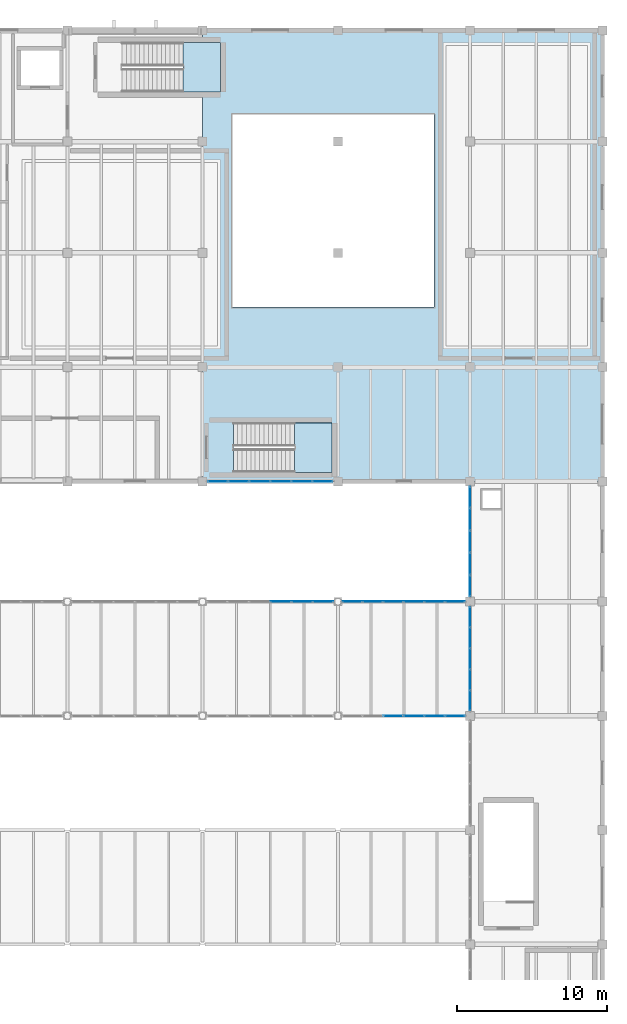
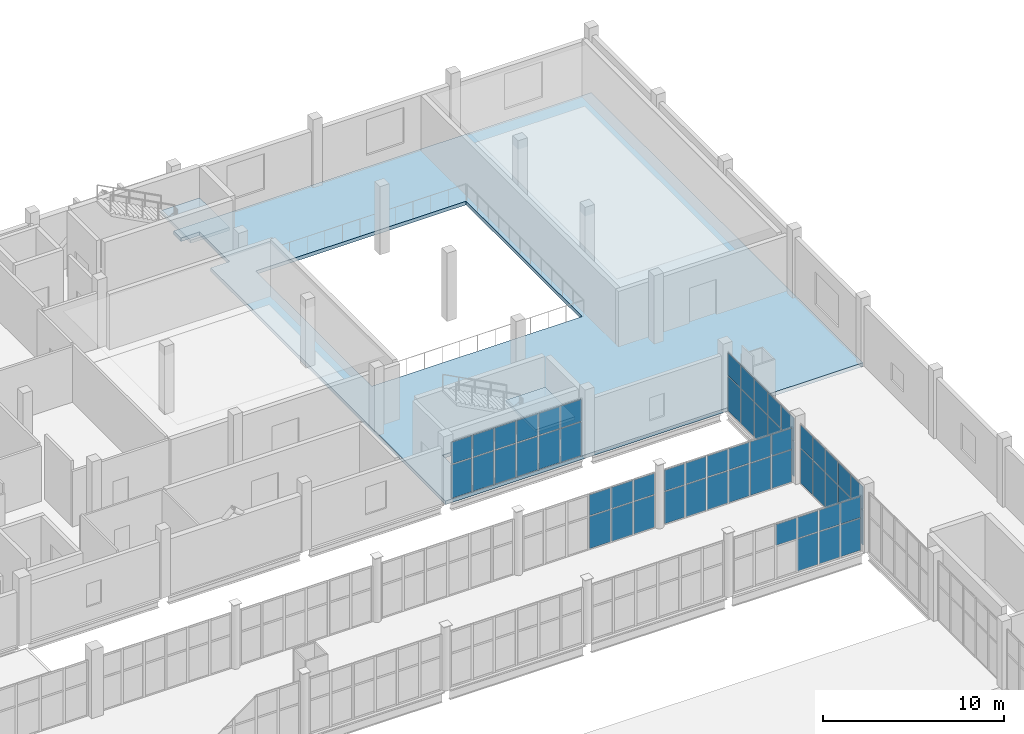
# One storey, part 107 of 136: 57 plates, 3 slabs, 8 elements without a shape of their own.
"""IFC4 building model written with IfcOpenShell, lengths in metres."""

from ifc_helpers import new_model, si_unit, direction, frame, origin, origin_2d, place, context, subcontext, project, spatial, polyline, rectangle, outline, extrude, material, layer, layer_set, type_object, element, aggregate, save


model = new_model("IFC4")

# Units and contexts
model_context = context("Model", 3, precision=1e-05, world=origin(), true_north=direction((0.0, 1.0)))
body_context = subcontext(model_context, "Body", "Model", "MODEL_VIEW")
ifc_project = project(units=[si_unit("LENGTHUNIT", "METRE"), si_unit("AREAUNIT", "SQUARE_METRE"), si_unit("VOLUMEUNIT", "CUBIC_METRE"), si_unit("PLANEANGLEUNIT", "RADIAN"), si_unit("MASSUNIT", "GRAM", prefix="KILO")], contexts=[model_context])

# Site, building, storey
site_placement = place(None, origin())
site = spatial("IfcSite", under=ifc_project, at=site_placement, CompositionType="ELEMENT")
building_placement = place(site_placement, origin())
building = spatial("IfcBuilding", under=site, at=building_placement, Name="Shengluoqiao Park Theatre", CompositionType="ELEMENT")
storey_placement = place(building_placement, frame((0.0, 0.0, 10.0)))
storey = spatial("IfcBuildingStorey", under=building, at=storey_placement, Name="L02", CompositionType="ELEMENT", Elevation=10.0)

# Curtain wall, plates
ifc_material_1 = material(Name="Aluminium 6063-T6", Category="aluminium")
curtain_wall_type_1 = type_object("IfcCurtainWallType", Name="ENV-CW-BRIDGE", PredefinedType="NOTDEFINED", material=ifc_material_1)
curtain_wall_1_placement = place(storey_placement, origin())
curtain_wall_1 = element("IfcCurtainWall", 1, at=curtain_wall_1_placement, inside=storey, type_object=curtain_wall_type_1, Name="L02 Curtain Wall CWX-L02-0114", PredefinedType="NOTDEFINED")
ifc_material_2 = material(Name="Insulated glass", Category="glass")
ifc_layer_1 = layer(ifc_material_2, 0.0380859375, Name="Insulated glass")
ifc_layer_set_1 = layer_set([ifc_layer_1], Name="Insulated glass")
plate_type = type_object("IfcPlateType", Name="ENV-GLZ-GL-38", PredefinedType="CURTAIN_PANEL", material=ifc_layer_set_1)
plate_1_placement = place(storey_placement, frame((152.090576171875, 68.39990234375, 2.26904296875), z_axis=(0.0, 0.0, 1.0), x_axis=(1.0, 0.0, 0.0)))
plate_1 = element("IfcPlate", 2, at=plate_1_placement, type_object=plate_type, Name="CW-03 panel 3.2", PredefinedType="CURTAIN_PANEL", context=body_context, shape_type="SweptSolid", body=[
    extrude(rectangle(XDim=1.31298828125, YDim=0.0380859375, at=origin_2d()), origin(), (0.0, 0.0, 1.0), 1.403076171875),
])
plate_2_placement = place(storey_placement, frame((153.46337890625, 68.39990234375, 0.06005859375), z_axis=(0.0, 0.0, 1.0), x_axis=(1.0, 0.0, 0.0)))
plate_2 = element("IfcPlate", 3, at=plate_2_placement, type_object=plate_type, Name="CW-03 panel 4.1", PredefinedType="CURTAIN_PANEL", context=body_context, shape_type="SweptSolid", body=[
    extrude(rectangle(XDim=1.31298828125, YDim=0.0380859375, at=origin_2d()), origin(), (0.0, 0.0, 1.0), 2.14892578125),
])
plate_3_placement = place(storey_placement, frame((153.46337890625, 68.39990234375, 2.26904296875), z_axis=(0.0, 0.0, 1.0), x_axis=(1.0, 0.0, 0.0)))
plate_3 = element("IfcPlate", 4, at=plate_3_placement, type_object=plate_type, Name="CW-03 panel 4.2", PredefinedType="CURTAIN_PANEL", context=body_context, shape_type="SweptSolid", body=[
    extrude(rectangle(XDim=1.31298828125, YDim=0.0380859375, at=origin_2d()), origin(), (0.0, 0.0, 1.0), 1.403076171875),
])
plate_4_placement = place(storey_placement, frame((154.83642578125, 68.39990234375, 0.06005859375), z_axis=(0.0, 0.0, 1.0), x_axis=(1.0, 0.0, 0.0)))
plate_4 = element("IfcPlate", 5, at=plate_4_placement, type_object=plate_type, Name="CW-03 panel 5.1", PredefinedType="CURTAIN_PANEL", context=body_context, shape_type="SweptSolid", body=[
    extrude(rectangle(XDim=1.31298828125, YDim=0.0380859375, at=origin_2d()), origin(), (0.0, 0.0, 1.0), 2.14892578125),
])
plate_5_placement = place(storey_placement, frame((154.83642578125, 68.39990234375, 2.26904296875), z_axis=(0.0, 0.0, 1.0), x_axis=(1.0, 0.0, 0.0)))
plate_5 = element("IfcPlate", 6, at=plate_5_placement, type_object=plate_type, Name="CW-03 panel 5.2", PredefinedType="CURTAIN_PANEL", context=body_context, shape_type="SweptSolid", body=[
    extrude(rectangle(XDim=1.31298828125, YDim=0.0380859375, at=origin_2d()), origin(), (0.0, 0.0, 1.0), 1.403076171875),
])
plate_6_placement = place(storey_placement, frame((156.194580078125, 68.39990234375, 0.06005859375), z_axis=(0.0, 0.0, 1.0), x_axis=(1.0, 0.0, 0.0)))
plate_6 = element("IfcPlate", 7, at=plate_6_placement, type_object=plate_type, Name="CW-03 panel 6.1", PredefinedType="CURTAIN_PANEL", context=body_context, shape_type="SweptSolid", body=[
    extrude(rectangle(XDim=1.282958984375, YDim=0.0380859375, at=origin_2d()), origin(), (0.0, 0.0, 1.0), 2.14892578125),
])
plate_7_placement = place(storey_placement, frame((156.194580078125, 68.39990234375, 2.26904296875), z_axis=(0.0, 0.0, 1.0), x_axis=(1.0, 0.0, 0.0)))
plate_7 = element("IfcPlate", 8, at=plate_7_placement, type_object=plate_type, Name="CW-03 panel 6.2", PredefinedType="CURTAIN_PANEL", context=body_context, shape_type="SweptSolid", body=[
    extrude(rectangle(XDim=1.282958984375, YDim=0.0380859375, at=origin_2d()), origin(), (0.0, 0.0, 1.0), 1.403076171875),
])
aggregate(curtain_wall_1, [plate_1, plate_2, plate_3, plate_4, plate_5, plate_6, plate_7])

curtain_wall_2_placement = place(storey_placement, origin())
curtain_wall_2 = element("IfcCurtainWall", 9, at=curtain_wall_2_placement, inside=storey, type_object=curtain_wall_type_1, Name="L02 Curtain Wall CWX-L02-0121", PredefinedType="NOTDEFINED")
plate_8_placement = place(storey_placement, frame((144.60693359375, 76.0, 0.06005859375), z_axis=(0.0, 0.0, 1.0), x_axis=(1.0, 0.0, 0.0)))
plate_8 = element("IfcPlate", 10, at=plate_8_placement, type_object=plate_type, Name="CW-03 panel 4.1", PredefinedType="CURTAIN_PANEL", context=body_context, shape_type="SweptSolid", body=[
    extrude(rectangle(XDim=1.35400390625, YDim=0.0380859375, at=origin_2d()), origin(), (0.0, 0.0, 1.0), 2.160888671875),
])
plate_9_placement = place(storey_placement, frame((144.60693359375, 76.0, 2.28125), z_axis=(0.0, 0.0, 1.0), x_axis=(1.0, 0.0, 0.0)))
plate_9 = element("IfcPlate", 11, at=plate_9_placement, type_object=plate_type, Name="CW-03 panel 4.2", PredefinedType="CURTAIN_PANEL", context=body_context, shape_type="SweptSolid", body=[
    extrude(rectangle(XDim=1.35400390625, YDim=0.0380859375, at=origin_2d()), origin(), (0.0, 0.0, 1.0), 1.410888671875),
])
plate_10_placement = place(storey_placement, frame((146.02099609375, 76.0, 0.06005859375), z_axis=(0.0, 0.0, 1.0), x_axis=(1.0, 0.0, 0.0)))
plate_10 = element("IfcPlate", 12, at=plate_10_placement, type_object=plate_type, Name="CW-03 panel 5.1", PredefinedType="CURTAIN_PANEL", context=body_context, shape_type="SweptSolid", body=[
    extrude(rectangle(XDim=1.35400390625, YDim=0.0380859375, at=origin_2d()), origin(), (0.0, 0.0, 1.0), 2.160888671875),
])
plate_11_placement = place(storey_placement, frame((146.02099609375, 76.0, 2.28125), z_axis=(0.0, 0.0, 1.0), x_axis=(1.0, 0.0, 0.0)))
plate_11 = element("IfcPlate", 13, at=plate_11_placement, type_object=plate_type, Name="CW-03 panel 5.2", PredefinedType="CURTAIN_PANEL", context=body_context, shape_type="SweptSolid", body=[
    extrude(rectangle(XDim=1.35400390625, YDim=0.0380859375, at=origin_2d()), origin(), (0.0, 0.0, 1.0), 1.410888671875),
])
plate_12_placement = place(storey_placement, frame((147.419921875, 76.0, 0.06005859375), z_axis=(0.0, 0.0, 1.0), x_axis=(1.0, 0.0, 0.0)))
plate_12 = element("IfcPlate", 14, at=plate_12_placement, type_object=plate_type, Name="CW-03 panel 6.1", PredefinedType="CURTAIN_PANEL", context=body_context, shape_type="SweptSolid", body=[
    extrude(rectangle(XDim=1.323974609375, YDim=0.0380859375, at=origin_2d()), origin(), (0.0, 0.0, 1.0), 2.160888671875),
])
plate_13_placement = place(storey_placement, frame((147.419921875, 76.0, 2.28125), z_axis=(0.0, 0.0, 1.0), x_axis=(1.0, 0.0, 0.0)))
plate_13 = element("IfcPlate", 15, at=plate_13_placement, type_object=plate_type, Name="CW-03 panel 6.2", PredefinedType="CURTAIN_PANEL", context=body_context, shape_type="SweptSolid", body=[
    extrude(rectangle(XDim=1.323974609375, YDim=0.0380859375, at=origin_2d()), origin(), (0.0, 0.0, 1.0), 1.410888671875),
])
aggregate(curtain_wall_2, [plate_8, plate_9, plate_10, plate_11, plate_12, plate_13])

curtain_wall_3_placement = place(storey_placement, origin())
curtain_wall_3 = element("IfcCurtainWall", 16, at=curtain_wall_3_placement, inside=storey, type_object=curtain_wall_type_1, Name="L02 Curtain Wall CWX-L02-0122", PredefinedType="NOTDEFINED")
plate_14_placement = place(storey_placement, frame((149.359619140625, 76.0, 0.06005859375), z_axis=(0.0, 0.0, 1.0), x_axis=(1.0, 0.0, 0.0)))
plate_14 = element("IfcPlate", 17, at=plate_14_placement, type_object=plate_type, Name="CW-03 panel 1.1", PredefinedType="CURTAIN_PANEL", context=body_context, shape_type="SweptSolid", body=[
    extrude(rectangle(XDim=1.282958984375, YDim=0.0380859375, at=origin_2d()), origin(), (0.0, 0.0, 1.0), 2.14892578125),
])
plate_15_placement = place(storey_placement, frame((149.359619140625, 76.0, 2.26904296875), z_axis=(0.0, 0.0, 1.0), x_axis=(1.0, 0.0, 0.0)))
plate_15 = element("IfcPlate", 18, at=plate_15_placement, type_object=plate_type, Name="CW-03 panel 1.2", PredefinedType="CURTAIN_PANEL", context=body_context, shape_type="SweptSolid", body=[
    extrude(rectangle(XDim=1.282958984375, YDim=0.0380859375, at=origin_2d()), origin(), (0.0, 0.0, 1.0), 1.403076171875),
])
plate_16_placement = place(storey_placement, frame((150.717529296875, 76.0, 0.06005859375), z_axis=(0.0, 0.0, 1.0), x_axis=(1.0, 0.0, 0.0)))
plate_16 = element("IfcPlate", 19, at=plate_16_placement, type_object=plate_type, Name="CW-03 panel 2.1", PredefinedType="CURTAIN_PANEL", context=body_context, shape_type="SweptSolid", body=[
    extrude(rectangle(XDim=1.31298828125, YDim=0.0380859375, at=origin_2d()), origin(), (0.0, 0.0, 1.0), 2.14892578125),
])
plate_17_placement = place(storey_placement, frame((150.717529296875, 76.0, 2.26904296875), z_axis=(0.0, 0.0, 1.0), x_axis=(1.0, 0.0, 0.0)))
plate_17 = element("IfcPlate", 20, at=plate_17_placement, type_object=plate_type, Name="CW-03 panel 2.2", PredefinedType="CURTAIN_PANEL", context=body_context, shape_type="SweptSolid", body=[
    extrude(rectangle(XDim=1.31298828125, YDim=0.0380859375, at=origin_2d()), origin(), (0.0, 0.0, 1.0), 1.403076171875),
])
plate_18_placement = place(storey_placement, frame((152.090576171875, 76.0, 0.06005859375), z_axis=(0.0, 0.0, 1.0), x_axis=(1.0, 0.0, 0.0)))
plate_18 = element("IfcPlate", 21, at=plate_18_placement, type_object=plate_type, Name="CW-03 panel 3.1", PredefinedType="CURTAIN_PANEL", context=body_context, shape_type="SweptSolid", body=[
    extrude(rectangle(XDim=1.31298828125, YDim=0.0380859375, at=origin_2d()), origin(), (0.0, 0.0, 1.0), 2.14892578125),
])
plate_19_placement = place(storey_placement, frame((152.090576171875, 76.0, 2.26904296875), z_axis=(0.0, 0.0, 1.0), x_axis=(1.0, 0.0, 0.0)))
plate_19 = element("IfcPlate", 22, at=plate_19_placement, type_object=plate_type, Name="CW-03 panel 3.2", PredefinedType="CURTAIN_PANEL", context=body_context, shape_type="SweptSolid", body=[
    extrude(rectangle(XDim=1.31298828125, YDim=0.0380859375, at=origin_2d()), origin(), (0.0, 0.0, 1.0), 1.403076171875),
])
plate_20_placement = place(storey_placement, frame((153.46337890625, 76.0, 0.06005859375), z_axis=(0.0, 0.0, 1.0), x_axis=(1.0, 0.0, 0.0)))
plate_20 = element("IfcPlate", 23, at=plate_20_placement, type_object=plate_type, Name="CW-03 panel 4.1", PredefinedType="CURTAIN_PANEL", context=body_context, shape_type="SweptSolid", body=[
    extrude(rectangle(XDim=1.31298828125, YDim=0.0380859375, at=origin_2d()), origin(), (0.0, 0.0, 1.0), 2.14892578125),
])
plate_21_placement = place(storey_placement, frame((153.46337890625, 76.0, 2.26904296875), z_axis=(0.0, 0.0, 1.0), x_axis=(1.0, 0.0, 0.0)))
plate_21 = element("IfcPlate", 24, at=plate_21_placement, type_object=plate_type, Name="CW-03 panel 4.2", PredefinedType="CURTAIN_PANEL", context=body_context, shape_type="SweptSolid", body=[
    extrude(rectangle(XDim=1.31298828125, YDim=0.0380859375, at=origin_2d()), origin(), (0.0, 0.0, 1.0), 1.403076171875),
])
plate_22_placement = place(storey_placement, frame((154.83642578125, 76.0, 0.06005859375), z_axis=(0.0, 0.0, 1.0), x_axis=(1.0, 0.0, 0.0)))
plate_22 = element("IfcPlate", 25, at=plate_22_placement, type_object=plate_type, Name="CW-03 panel 5.1", PredefinedType="CURTAIN_PANEL", context=body_context, shape_type="SweptSolid", body=[
    extrude(rectangle(XDim=1.31298828125, YDim=0.0380859375, at=origin_2d()), origin(), (0.0, 0.0, 1.0), 2.14892578125),
])
plate_23_placement = place(storey_placement, frame((154.83642578125, 76.0, 2.26904296875), z_axis=(0.0, 0.0, 1.0), x_axis=(1.0, 0.0, 0.0)))
plate_23 = element("IfcPlate", 26, at=plate_23_placement, type_object=plate_type, Name="CW-03 panel 5.2", PredefinedType="CURTAIN_PANEL", context=body_context, shape_type="SweptSolid", body=[
    extrude(rectangle(XDim=1.31298828125, YDim=0.0380859375, at=origin_2d()), origin(), (0.0, 0.0, 1.0), 1.403076171875),
])
plate_24_placement = place(storey_placement, frame((156.194580078125, 76.0, 0.06005859375), z_axis=(0.0, 0.0, 1.0), x_axis=(1.0, 0.0, 0.0)))
plate_24 = element("IfcPlate", 27, at=plate_24_placement, type_object=plate_type, Name="CW-03 panel 6.1", PredefinedType="CURTAIN_PANEL", context=body_context, shape_type="SweptSolid", body=[
    extrude(rectangle(XDim=1.282958984375, YDim=0.0380859375, at=origin_2d()), origin(), (0.0, 0.0, 1.0), 2.14892578125),
])
plate_25_placement = place(storey_placement, frame((156.194580078125, 76.0, 2.26904296875), z_axis=(0.0, 0.0, 1.0), x_axis=(1.0, 0.0, 0.0)))
plate_25 = element("IfcPlate", 28, at=plate_25_placement, type_object=plate_type, Name="CW-03 panel 6.2", PredefinedType="CURTAIN_PANEL", context=body_context, shape_type="SweptSolid", body=[
    extrude(rectangle(XDim=1.282958984375, YDim=0.0380859375, at=origin_2d()), origin(), (0.0, 0.0, 1.0), 1.403076171875),
])
aggregate(curtain_wall_3, [plate_14, plate_15, plate_16, plate_17, plate_18, plate_19, plate_20, plate_21, plate_22, plate_23, plate_24, plate_25])

curtain_wall_type_2 = type_object("IfcCurtainWallType", Name="ENV-CW-CLERE", PredefinedType="NOTDEFINED", material=ifc_material_1)
curtain_wall_4_placement = place(storey_placement, origin())
curtain_wall_4 = element("IfcCurtainWall", 29, at=curtain_wall_4_placement, inside=storey, type_object=curtain_wall_type_2, Name="L02 Curtain Wall CWX-L02-0189", PredefinedType="NOTDEFINED")
plate_26_placement = place(storey_placement, frame((140.418212890625, 84.0, 0.06005859375), z_axis=(0.0, 0.0, 1.0), x_axis=(1.0, 0.0, 0.0)))
plate_26 = element("IfcPlate", 30, at=plate_26_placement, type_object=plate_type, Name="CW-06 panel 1.1", PredefinedType="CURTAIN_PANEL", context=body_context, shape_type="SweptSolid", body=[
    extrude(rectangle(XDim=1.30859375, YDim=0.0380859375, at=origin_2d()), origin(), (0.0, 0.0, 1.0), 2.2490234375),
])
plate_27_placement = place(storey_placement, frame((140.418212890625, 84.0, 2.369140625), z_axis=(0.0, 0.0, 1.0), x_axis=(1.0, 0.0, 0.0)))
plate_27 = element("IfcPlate", 31, at=plate_27_placement, type_object=plate_type, Name="CW-06 panel 1.2", PredefinedType="CURTAIN_PANEL", context=body_context, shape_type="SweptSolid", body=[
    extrude(rectangle(XDim=1.30859375, YDim=0.0380859375, at=origin_2d()), origin(), (0.0, 0.0, 1.0), 1.468994140625),
])
plate_28_placement = place(storey_placement, frame((141.802001953125, 84.0, 0.06005859375), z_axis=(0.0, 0.0, 1.0), x_axis=(1.0, 0.0, 0.0)))
plate_28 = element("IfcPlate", 32, at=plate_28_placement, type_object=plate_type, Name="CW-06 panel 2.1", PredefinedType="CURTAIN_PANEL", context=body_context, shape_type="SweptSolid", body=[
    extrude(rectangle(XDim=1.338623046875, YDim=0.0380859375, at=origin_2d()), origin(), (0.0, 0.0, 1.0), 2.2490234375),
])
plate_29_placement = place(storey_placement, frame((141.802001953125, 84.0, 2.369140625), z_axis=(0.0, 0.0, 1.0), x_axis=(1.0, 0.0, 0.0)))
plate_29 = element("IfcPlate", 33, at=plate_29_placement, type_object=plate_type, Name="CW-06 panel 2.2", PredefinedType="CURTAIN_PANEL", context=body_context, shape_type="SweptSolid", body=[
    extrude(rectangle(XDim=1.338623046875, YDim=0.0380859375, at=origin_2d()), origin(), (0.0, 0.0, 1.0), 1.468994140625),
])
plate_30_placement = place(storey_placement, frame((143.20068359375, 84.0, 0.06005859375), z_axis=(0.0, 0.0, 1.0), x_axis=(1.0, 0.0, 0.0)))
plate_30 = element("IfcPlate", 34, at=plate_30_placement, type_object=plate_type, Name="CW-06 panel 3.1", PredefinedType="CURTAIN_PANEL", context=body_context, shape_type="SweptSolid", body=[
    extrude(rectangle(XDim=1.338623046875, YDim=0.0380859375, at=origin_2d()), origin(), (0.0, 0.0, 1.0), 2.2490234375),
])
plate_31_placement = place(storey_placement, frame((143.20068359375, 84.0, 2.369140625), z_axis=(0.0, 0.0, 1.0), x_axis=(1.0, 0.0, 0.0)))
plate_31 = element("IfcPlate", 35, at=plate_31_placement, type_object=plate_type, Name="CW-06 panel 3.2", PredefinedType="CURTAIN_PANEL", context=body_context, shape_type="SweptSolid", body=[
    extrude(rectangle(XDim=1.338623046875, YDim=0.0380859375, at=origin_2d()), origin(), (0.0, 0.0, 1.0), 1.468994140625),
])
plate_32_placement = place(storey_placement, frame((144.599365234375, 84.0, 0.06005859375), z_axis=(0.0, 0.0, 1.0), x_axis=(1.0, 0.0, 0.0)))
plate_32 = element("IfcPlate", 36, at=plate_32_placement, type_object=plate_type, Name="CW-06 panel 4.1", PredefinedType="CURTAIN_PANEL", context=body_context, shape_type="SweptSolid", body=[
    extrude(rectangle(XDim=1.338623046875, YDim=0.0380859375, at=origin_2d()), origin(), (0.0, 0.0, 1.0), 2.2490234375),
])
plate_33_placement = place(storey_placement, frame((144.599365234375, 84.0, 2.369140625), z_axis=(0.0, 0.0, 1.0), x_axis=(1.0, 0.0, 0.0)))
plate_33 = element("IfcPlate", 37, at=plate_33_placement, type_object=plate_type, Name="CW-06 panel 4.2", PredefinedType="CURTAIN_PANEL", context=body_context, shape_type="SweptSolid", body=[
    extrude(rectangle(XDim=1.338623046875, YDim=0.0380859375, at=origin_2d()), origin(), (0.0, 0.0, 1.0), 1.468994140625),
])
plate_34_placement = place(storey_placement, frame((145.998046875, 84.0, 0.06005859375), z_axis=(0.0, 0.0, 1.0), x_axis=(1.0, 0.0, 0.0)))
plate_34 = element("IfcPlate", 38, at=plate_34_placement, type_object=plate_type, Name="CW-06 panel 5.1", PredefinedType="CURTAIN_PANEL", context=body_context, shape_type="SweptSolid", body=[
    extrude(rectangle(XDim=1.338623046875, YDim=0.0380859375, at=origin_2d()), origin(), (0.0, 0.0, 1.0), 2.2490234375),
])
plate_35_placement = place(storey_placement, frame((145.998046875, 84.0, 2.369140625), z_axis=(0.0, 0.0, 1.0), x_axis=(1.0, 0.0, 0.0)))
plate_35 = element("IfcPlate", 39, at=plate_35_placement, type_object=plate_type, Name="CW-06 panel 5.2", PredefinedType="CURTAIN_PANEL", context=body_context, shape_type="SweptSolid", body=[
    extrude(rectangle(XDim=1.338623046875, YDim=0.0380859375, at=origin_2d()), origin(), (0.0, 0.0, 1.0), 1.468994140625),
])
plate_36_placement = place(storey_placement, frame((147.381591796875, 84.0, 0.06005859375), z_axis=(0.0, 0.0, 1.0), x_axis=(1.0, 0.0, 0.0)))
plate_36 = element("IfcPlate", 40, at=plate_36_placement, type_object=plate_type, Name="CW-06 panel 6.1", PredefinedType="CURTAIN_PANEL", context=body_context, shape_type="SweptSolid", body=[
    extrude(rectangle(XDim=1.30859375, YDim=0.0380859375, at=origin_2d()), origin(), (0.0, 0.0, 1.0), 2.2490234375),
])
plate_37_placement = place(storey_placement, frame((147.381591796875, 84.0, 2.369140625), z_axis=(0.0, 0.0, 1.0), x_axis=(1.0, 0.0, 0.0)))
plate_37 = element("IfcPlate", 41, at=plate_37_placement, type_object=plate_type, Name="CW-06 panel 6.2", PredefinedType="CURTAIN_PANEL", context=body_context, shape_type="SweptSolid", body=[
    extrude(rectangle(XDim=1.30859375, YDim=0.0380859375, at=origin_2d()), origin(), (0.0, 0.0, 1.0), 1.468994140625),
])
aggregate(curtain_wall_4, [plate_26, plate_27, plate_28, plate_29, plate_30, plate_31, plate_32, plate_33, plate_34, plate_35, plate_36, plate_37])

curtain_wall_type_3 = type_object("IfcCurtainWallType", Name="ENV-CW-COURT", PredefinedType="NOTDEFINED", material=ifc_material_1)
curtain_wall_5_placement = place(storey_placement, origin())
curtain_wall_5 = element("IfcCurtainWall", 42, at=curtain_wall_5_placement, inside=storey, type_object=curtain_wall_type_3, Name="L02 Curtain Wall CWX-L02-0198", PredefinedType="NOTDEFINED")
plate_38_placement = place(storey_placement, frame((157.199951171875, 69.418212890625, 0.06005859375), z_axis=(0.0, 0.0, 1.0), x_axis=(0.0, 1.0, 0.0)))
plate_38 = element("IfcPlate", 43, at=plate_38_placement, type_object=plate_type, Name="CW-05 panel 1.1", PredefinedType="CURTAIN_PANEL", context=body_context, shape_type="SweptSolid", body=[
    extrude(rectangle(XDim=1.308349609375, YDim=0.0380859375, at=origin_2d()), origin(), (0.0, 0.0, 1.0), 2.330078125),
])
plate_39_placement = place(storey_placement, frame((157.199951171875, 69.418212890625, 2.449951171875), z_axis=(0.0, 0.0, 1.0), x_axis=(0.0, 1.0, 0.0)))
plate_39 = element("IfcPlate", 44, at=plate_39_placement, type_object=plate_type, Name="CW-05 panel 1.2", PredefinedType="CURTAIN_PANEL", context=body_context, shape_type="SweptSolid", body=[
    extrude(rectangle(XDim=1.308349609375, YDim=0.0380859375, at=origin_2d()), origin(), (0.0, 0.0, 1.0), 1.52392578125),
])
plate_40_placement = place(storey_placement, frame((157.199951171875, 70.801513671875, 0.06005859375), z_axis=(0.0, 0.0, 1.0), x_axis=(0.0, 1.0, 0.0)))
plate_40 = element("IfcPlate", 45, at=plate_40_placement, type_object=plate_type, Name="CW-05 panel 2.1", PredefinedType="CURTAIN_PANEL", context=body_context, shape_type="SweptSolid", body=[
    extrude(rectangle(XDim=1.33837890625, YDim=0.0380859375, at=origin_2d()), origin(), (0.0, 0.0, 1.0), 2.330078125),
])
plate_41_placement = place(storey_placement, frame((157.199951171875, 70.801513671875, 2.449951171875), z_axis=(0.0, 0.0, 1.0), x_axis=(0.0, 1.0, 0.0)))
plate_41 = element("IfcPlate", 46, at=plate_41_placement, type_object=plate_type, Name="CW-05 panel 2.2", PredefinedType="CURTAIN_PANEL", context=body_context, shape_type="SweptSolid", body=[
    extrude(rectangle(XDim=1.33837890625, YDim=0.0380859375, at=origin_2d()), origin(), (0.0, 0.0, 1.0), 1.52392578125),
])
plate_42_placement = place(storey_placement, frame((157.199951171875, 72.199951171875, 0.06005859375), z_axis=(0.0, 0.0, 1.0), x_axis=(0.0, 1.0, 0.0)))
plate_42 = element("IfcPlate", 47, at=plate_42_placement, type_object=plate_type, Name="CW-05 panel 3.1", PredefinedType="CURTAIN_PANEL", context=body_context, shape_type="SweptSolid", body=[
    extrude(rectangle(XDim=1.33837890625, YDim=0.0380859375, at=origin_2d()), origin(), (0.0, 0.0, 1.0), 2.330078125),
])
plate_43_placement = place(storey_placement, frame((157.199951171875, 72.199951171875, 2.449951171875), z_axis=(0.0, 0.0, 1.0), x_axis=(0.0, 1.0, 0.0)))
plate_43 = element("IfcPlate", 48, at=plate_43_placement, type_object=plate_type, Name="CW-05 panel 3.2", PredefinedType="CURTAIN_PANEL", context=body_context, shape_type="SweptSolid", body=[
    extrude(rectangle(XDim=1.33837890625, YDim=0.0380859375, at=origin_2d()), origin(), (0.0, 0.0, 1.0), 1.52392578125),
])
plate_44_placement = place(storey_placement, frame((157.199951171875, 73.598388671875, 0.06005859375), z_axis=(0.0, 0.0, 1.0), x_axis=(0.0, 1.0, 0.0)))
plate_44 = element("IfcPlate", 49, at=plate_44_placement, type_object=plate_type, Name="CW-05 panel 4.1", PredefinedType="CURTAIN_PANEL", context=body_context, shape_type="SweptSolid", body=[
    extrude(rectangle(XDim=1.33837890625, YDim=0.0380859375, at=origin_2d()), origin(), (0.0, 0.0, 1.0), 2.330078125),
])
plate_45_placement = place(storey_placement, frame((157.199951171875, 73.598388671875, 2.449951171875), z_axis=(0.0, 0.0, 1.0), x_axis=(0.0, 1.0, 0.0)))
plate_45 = element("IfcPlate", 50, at=plate_45_placement, type_object=plate_type, Name="CW-05 panel 4.2", PredefinedType="CURTAIN_PANEL", context=body_context, shape_type="SweptSolid", body=[
    extrude(rectangle(XDim=1.33837890625, YDim=0.0380859375, at=origin_2d()), origin(), (0.0, 0.0, 1.0), 1.52392578125),
])
plate_46_placement = place(storey_placement, frame((157.199951171875, 74.981689453125, 0.06005859375), z_axis=(0.0, 0.0, 1.0), x_axis=(0.0, 1.0, 0.0)))
plate_46 = element("IfcPlate", 51, at=plate_46_placement, type_object=plate_type, Name="CW-05 panel 5.1", PredefinedType="CURTAIN_PANEL", context=body_context, shape_type="SweptSolid", body=[
    extrude(rectangle(XDim=1.308349609375, YDim=0.0380859375, at=origin_2d()), origin(), (0.0, 0.0, 1.0), 2.330078125),
])
plate_47_placement = place(storey_placement, frame((157.199951171875, 74.981689453125, 2.449951171875), z_axis=(0.0, 0.0, 1.0), x_axis=(0.0, 1.0, 0.0)))
plate_47 = element("IfcPlate", 52, at=plate_47_placement, type_object=plate_type, Name="CW-05 panel 5.2", PredefinedType="CURTAIN_PANEL", context=body_context, shape_type="SweptSolid", body=[
    extrude(rectangle(XDim=1.308349609375, YDim=0.0380859375, at=origin_2d()), origin(), (0.0, 0.0, 1.0), 1.52392578125),
])
aggregate(curtain_wall_5, [plate_38, plate_39, plate_40, plate_41, plate_42, plate_43, plate_44, plate_45, plate_46, plate_47])

curtain_wall_6_placement = place(storey_placement, origin())
curtain_wall_6 = element("IfcCurtainWall", 53, at=curtain_wall_6_placement, inside=storey, type_object=curtain_wall_type_3, Name="L02 Curtain Wall CWX-L02-0199", PredefinedType="NOTDEFINED")
plate_48_placement = place(storey_placement, frame((157.199951171875, 77.05810546875, 0.06005859375), z_axis=(0.0, 0.0, 1.0), x_axis=(0.0, 1.0, 0.0)))
plate_48 = element("IfcPlate", 54, at=plate_48_placement, type_object=plate_type, Name="CW-05 panel 1.1", PredefinedType="CURTAIN_PANEL", context=body_context, shape_type="SweptSolid", body=[
    extrude(rectangle(XDim=1.388427734375, YDim=0.0380859375, at=origin_2d()), origin(), (0.0, 0.0, 1.0), 2.330078125),
])
plate_49_placement = place(storey_placement, frame((157.199951171875, 77.05810546875, 2.449951171875), z_axis=(0.0, 0.0, 1.0), x_axis=(0.0, 1.0, 0.0)))
plate_49 = element("IfcPlate", 55, at=plate_49_placement, type_object=plate_type, Name="CW-05 panel 1.2", PredefinedType="CURTAIN_PANEL", context=body_context, shape_type="SweptSolid", body=[
    extrude(rectangle(XDim=1.388427734375, YDim=0.0380859375, at=origin_2d()), origin(), (0.0, 0.0, 1.0), 1.52392578125),
])
plate_50_placement = place(storey_placement, frame((157.199951171875, 78.521484375, 0.06005859375), z_axis=(0.0, 0.0, 1.0), x_axis=(0.0, 1.0, 0.0)))
plate_50 = element("IfcPlate", 56, at=plate_50_placement, type_object=plate_type, Name="CW-05 panel 2.1", PredefinedType="CURTAIN_PANEL", context=body_context, shape_type="SweptSolid", body=[
    extrude(rectangle(XDim=1.41845703125, YDim=0.0380859375, at=origin_2d()), origin(), (0.0, 0.0, 1.0), 2.330078125),
])
plate_51_placement = place(storey_placement, frame((157.199951171875, 78.521484375, 2.449951171875), z_axis=(0.0, 0.0, 1.0), x_axis=(0.0, 1.0, 0.0)))
plate_51 = element("IfcPlate", 57, at=plate_51_placement, type_object=plate_type, Name="CW-05 panel 2.2", PredefinedType="CURTAIN_PANEL", context=body_context, shape_type="SweptSolid", body=[
    extrude(rectangle(XDim=1.41845703125, YDim=0.0380859375, at=origin_2d()), origin(), (0.0, 0.0, 1.0), 1.52392578125),
])
plate_52_placement = place(storey_placement, frame((157.199951171875, 80.0, 0.06005859375), z_axis=(0.0, 0.0, 1.0), x_axis=(0.0, 1.0, 0.0)))
plate_52 = element("IfcPlate", 58, at=plate_52_placement, type_object=plate_type, Name="CW-05 panel 3.1", PredefinedType="CURTAIN_PANEL", context=body_context, shape_type="SweptSolid", body=[
    extrude(rectangle(XDim=1.41845703125, YDim=0.0380859375, at=origin_2d()), origin(), (0.0, 0.0, 1.0), 2.330078125),
])
plate_53_placement = place(storey_placement, frame((157.199951171875, 80.0, 2.449951171875), z_axis=(0.0, 0.0, 1.0), x_axis=(0.0, 1.0, 0.0)))
plate_53 = element("IfcPlate", 59, at=plate_53_placement, type_object=plate_type, Name="CW-05 panel 3.2", PredefinedType="CURTAIN_PANEL", context=body_context, shape_type="SweptSolid", body=[
    extrude(rectangle(XDim=1.41845703125, YDim=0.0380859375, at=origin_2d()), origin(), (0.0, 0.0, 1.0), 1.52392578125),
])
plate_54_placement = place(storey_placement, frame((157.199951171875, 81.478515625, 0.06005859375), z_axis=(0.0, 0.0, 1.0), x_axis=(0.0, 1.0, 0.0)))
plate_54 = element("IfcPlate", 60, at=plate_54_placement, type_object=plate_type, Name="CW-05 panel 4.1", PredefinedType="CURTAIN_PANEL", context=body_context, shape_type="SweptSolid", body=[
    extrude(rectangle(XDim=1.41845703125, YDim=0.0380859375, at=origin_2d()), origin(), (0.0, 0.0, 1.0), 2.330078125),
])
plate_55_placement = place(storey_placement, frame((157.199951171875, 81.478515625, 2.449951171875), z_axis=(0.0, 0.0, 1.0), x_axis=(0.0, 1.0, 0.0)))
plate_55 = element("IfcPlate", 61, at=plate_55_placement, type_object=plate_type, Name="CW-05 panel 4.2", PredefinedType="CURTAIN_PANEL", context=body_context, shape_type="SweptSolid", body=[
    extrude(rectangle(XDim=1.41845703125, YDim=0.0380859375, at=origin_2d()), origin(), (0.0, 0.0, 1.0), 1.52392578125),
])
plate_56_placement = place(storey_placement, frame((157.199951171875, 82.94189453125, 0.06005859375), z_axis=(0.0, 0.0, 1.0), x_axis=(0.0, 1.0, 0.0)))
plate_56 = element("IfcPlate", 62, at=plate_56_placement, type_object=plate_type, Name="CW-05 panel 5.1", PredefinedType="CURTAIN_PANEL", context=body_context, shape_type="SweptSolid", body=[
    extrude(rectangle(XDim=1.388427734375, YDim=0.0380859375, at=origin_2d()), origin(), (0.0, 0.0, 1.0), 2.330078125),
])
plate_57_placement = place(storey_placement, frame((157.199951171875, 82.94189453125, 2.449951171875), z_axis=(0.0, 0.0, 1.0), x_axis=(0.0, 1.0, 0.0)))
plate_57 = element("IfcPlate", 63, at=plate_57_placement, type_object=plate_type, Name="CW-05 panel 5.2", PredefinedType="CURTAIN_PANEL", context=body_context, shape_type="SweptSolid", body=[
    extrude(rectangle(XDim=1.388427734375, YDim=0.0380859375, at=origin_2d()), origin(), (0.0, 0.0, 1.0), 1.52392578125),
])
aggregate(curtain_wall_6, [plate_48, plate_49, plate_50, plate_51, plate_52, plate_53, plate_54, plate_55, plate_56, plate_57])

# Stair, slab
ifc_material_3 = material(Name="Concrete C40", Category="concrete")
stair_type = type_object("IfcStairType", Name="INT-STR-CORE", PredefinedType="HALF_TURN_STAIR", material=ifc_material_3)
stair_1_placement = place(storey_placement, origin())
stair_1 = element("IfcStair", 64, at=stair_1_placement, inside=storey, type_object=stair_type, Name="L02 Backstage and Workshop Escape Stair 06", PredefinedType="HALF_TURN_STAIR")
ifc_layer_2 = layer(ifc_material_3, 0.169921875, Name="Concrete C40")
ifc_layer_set_2 = layer_set([ifc_layer_2], Name="Concrete C40")
slab_type_1 = type_object("IfcSlabType", Name="INT-LND-SL-170", PredefinedType="LANDING", material=ifc_layer_set_2)
slab_1_placement = place(storey_placement, frame((0.0, 0.0, 2.10009765625)))
slab_1 = element("IfcSlab", 65, at=slab_1_placement, type_object=slab_type_1, Name="ST-06 landing 1", PredefinedType="LANDING", context=body_context, shape_type="SweptSolid", body=[
    extrude(outline(polyline([(138.110107421875, 109.89990234375), (140.60009765625, 109.89990234375), (140.60009765625, 113.199951171875), (138.110107421875, 113.199951171875), (138.110107421875, 109.89990234375)])), origin(), (0.0, 0.0, 1.0), 0.199951171875),
])
aggregate(stair_1, [slab_1])

stair_2_placement = place(storey_placement, origin())
stair_2 = element("IfcStair", 66, at=stair_2_placement, inside=storey, type_object=stair_type, Name="L02 Upper Backstage Escape Stair 10", PredefinedType="HALF_TURN_STAIR")
ifc_layer_3 = layer(ifc_material_3, 0.199951171875, Name="Concrete C40")
ifc_layer_set_3 = layer_set([ifc_layer_3], Name="Concrete C40")
slab_type_2 = type_object("IfcSlabType", Name="INT-LND-SL-200", PredefinedType="LANDING", material=ifc_layer_set_3)
slab_2_placement = place(storey_placement, frame((0.0, 0.0, 2.10009765625)))
slab_2 = element("IfcSlab", 67, at=slab_2_placement, type_object=slab_type_2, Name="ST-10 landing 1", PredefinedType="LANDING", context=body_context, shape_type="SweptSolid", body=[
    extrude(outline(polyline([(145.510009765625, 84.60009765625), (148.0, 84.60009765625), (148.0, 87.89990234375), (145.510009765625, 87.89990234375), (145.510009765625, 84.60009765625)])), origin(), (0.0, 0.0, 1.0), 0.199951171875),
])
aggregate(stair_2, [slab_2])

# Slab
ifc_material_4 = material(Name="Concrete C35", Category="concrete")
ifc_layer_4 = layer(ifc_material_4, 0.239990234375, Name="Concrete C35")
ifc_layer_set_4 = layer_set([ifc_layer_4], Name="Concrete C35")
slab_type_3 = type_object("IfcSlabType", Name="STR-SLB-FL240", PredefinedType="FLOOR", material=ifc_layer_set_4)
slab_3_placement = place(storey_placement, frame((0.0, 0.0, -0.239990234375)))
element("IfcSlab", 68, at=slab_3_placement, inside=storey, type_object=slab_type_3, Name="Floor Slab L02-V6-NE2", PredefinedType="FLOOR", context=body_context, shape_type="SweptSolid", body=[
    extrude(outline(polyline([(139.39990234375, 114.0), (166.0, 114.0), (166.0, 84.0), (139.39990234375, 84.0), (139.39990234375, 109.89990234375), (140.60009765625, 109.89990234375), (140.60009765625, 113.199951171875), (139.39990234375, 113.199951171875), (139.39990234375, 114.0)]), holes=[polyline([(141.4541015625, 84.60009765625), (148.0, 84.60009765625), (148.0, 87.89990234375), (141.4541015625, 87.89990234375), (141.4541015625, 84.60009765625)]), polyline([(154.800048828125, 95.60009765625), (154.800048828125, 108.39990234375), (141.39990234375, 108.39990234375), (141.39990234375, 95.60009765625), (154.800048828125, 95.60009765625)])]), origin(), (0.0, 0.0, 1.0), 0.239990234375),
])

save(model, "model.ifc")
